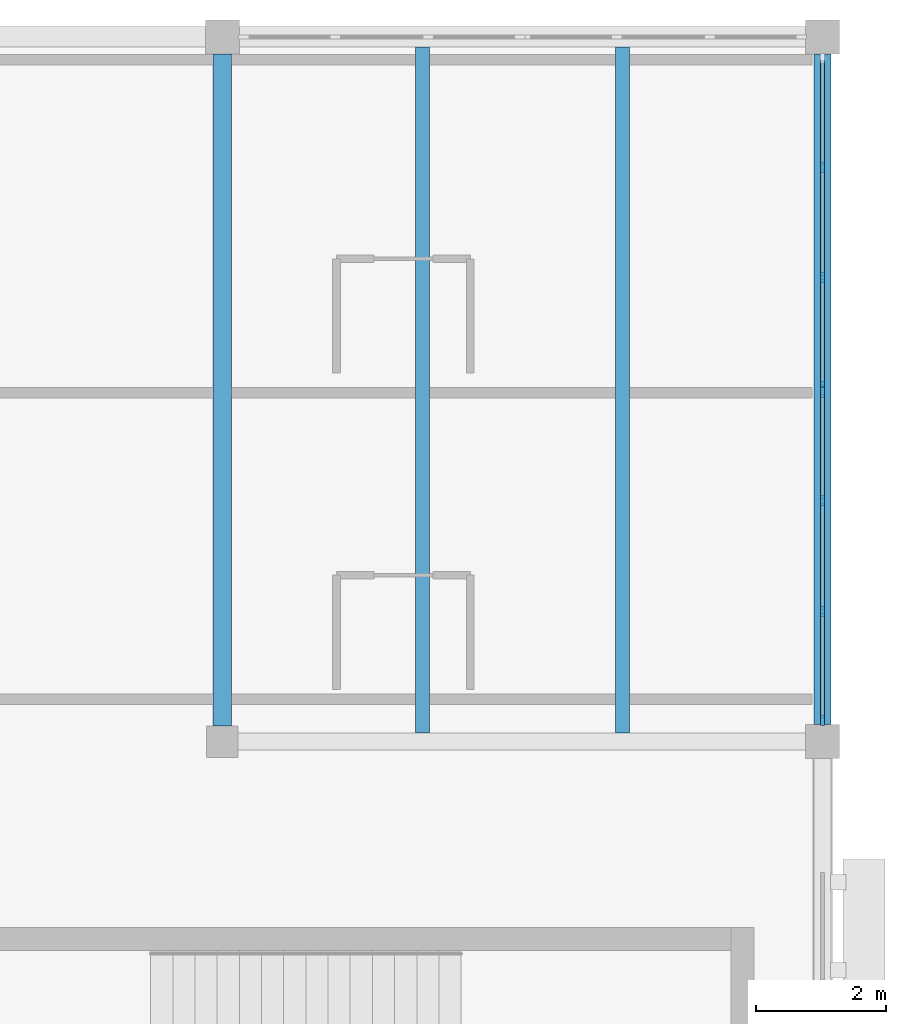
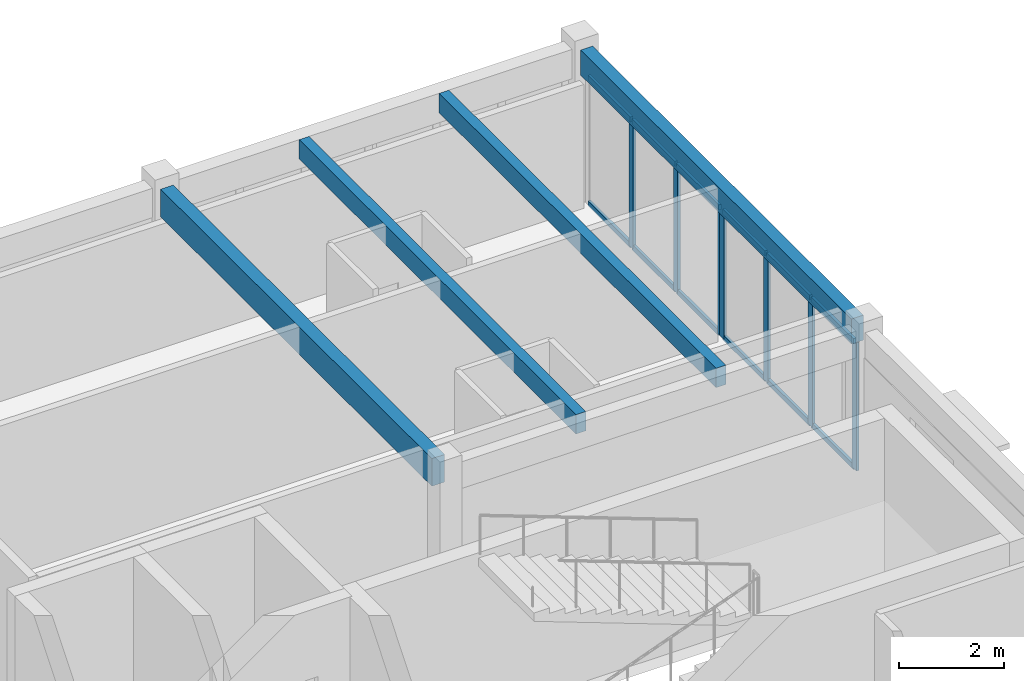
# One storey, part 3 of 20: 19 members, 4 beams, 2 elements without a shape of their own.
"""IFC4 building model written with IfcOpenShell, lengths in metres."""

from ifc_helpers import new_model, si_unit, direction, frame, origin, origin_2d, place, context, subcontext, project, spatial, rectangle, extrude, material, material_profile, profile_set, type_object, element, aggregate, save


model = new_model("IFC4")

# Units and contexts
model_context = context("Model", 3, precision=1e-05, world=origin(), true_north=direction((0.0, 1.0)))
body_context = subcontext(model_context, "Body", "Model", "MODEL_VIEW")
ifc_project = project(units=[si_unit("LENGTHUNIT", "METRE"), si_unit("AREAUNIT", "SQUARE_METRE"), si_unit("VOLUMEUNIT", "CUBIC_METRE"), si_unit("PLANEANGLEUNIT", "RADIAN"), si_unit("MASSUNIT", "GRAM", prefix="KILO")], contexts=[model_context])

# Site, building, storey
site_placement = place(None, origin())
site = spatial("IfcSite", under=ifc_project, at=site_placement, CompositionType="ELEMENT")
building_placement = place(site_placement, origin())
building = spatial("IfcBuilding", under=site, at=building_placement, Name="Veldera Park Congress Hotel", CompositionType="ELEMENT")
storey_placement = place(building_placement, frame((0.0, 0.0, 27.60009765625)))
storey = spatial("IfcBuildingStorey", under=building, at=storey_placement, Name="L06", CompositionType="ELEMENT", Elevation=27.60009765625)

# Beams
ifc_material_1 = material(Name="Glulam GL28h (NDS 24F-V4)", Category="wood")
ifc_material_profile_1 = material_profile(ifc_material_1, rectangle(XDim=0.264892578125, YDim=0.580078125, at=origin_2d()), Name="GL28h 265x580")
ifc_profile_set_1 = profile_set([ifc_material_profile_1], Name="Glulam GL28h (NDS 24F-V4)")
beam_type_1 = type_object("IfcBeamType", Name="BM-GL540E", PredefinedType="BEAM", material=ifc_profile_set_1)
beam_1_placement = place(storey_placement, frame((84.0, 47.4599609375, 3.264892578125), z_axis=(0.0, 1.0, 0.0), x_axis=(-1.0, 0.0, 0.0)))
element("IfcBeam", 1, at=beam_1_placement, inside=storey, type_object=beam_type_1, Name="L06 Girder BM-GL540E 1598", PredefinedType="BEAM", context=body_context, shape_type="SweptSolid", body=[
    extrude(rectangle(XDim=0.264892578125, YDim=0.580078125, at=origin_2d()), origin(), (0.0, 0.0, 1.0), 10.280029296875),
])
ifc_material_profile_2 = material_profile(ifc_material_1, rectangle(XDim=0.280029296875, YDim=0.639892578125, at=origin_2d()), Name="GL28h 280x640")
ifc_profile_set_2 = profile_set([ifc_material_profile_2], Name="Glulam GL28h (NDS 24F-V4)")
beam_type_2 = type_object("IfcBeamType", Name="BM-GL640", PredefinedType="BEAM", material=ifc_profile_set_2)
beam_2_placement = place(storey_placement, frame((74.800048828125, 47.43994140625, 3.23486328125), z_axis=(0.0, 1.0, 0.0), x_axis=(-1.0, 0.0, 0.0)))
element("IfcBeam", 2, at=beam_2_placement, inside=storey, type_object=beam_type_2, Name="L06 Girder BM-GL640 1587", PredefinedType="BEAM", context=body_context, shape_type="SweptSolid", body=[
    extrude(rectangle(XDim=0.280029296875, YDim=0.639892578125, at=origin_2d()), origin(), (0.0, 0.0, 1.0), 10.300048828125),
])

# Curtain wall, members
ifc_material_2 = material(Name="Low-E Triple Insulating Glass Unit (SHGC 0.22)", Category="glass")
curtain_wall_type = type_object("IfcCurtainWallType", Name="CW-HTL", PredefinedType="NOTDEFINED", material=ifc_material_2)
curtain_wall_1_placement = place(storey_placement, origin())
curtain_wall_1 = element("IfcCurtainWall", 3, at=curtain_wall_1_placement, inside=storey, type_object=curtain_wall_type, Name="L06 Curtain Wall CW3-HTLNE-L06-108", PredefinedType="NOTDEFINED")
ifc_material_3 = material(Name="Anodised Aluminium Alloy 6063-T6", Category="aluminium")
ifc_material_profile_3 = material_profile(ifc_material_3, rectangle(XDim=0.06005859375, YDim=0.159912109375, at=origin_2d()), Name="ALU 60x160")
ifc_profile_set_3 = profile_set([ifc_material_profile_3], Name="Anodised Aluminium Alloy 6063-T6")
member_type_1 = type_object("IfcMemberType", Name="CWM-160", PredefinedType="MULLION", material=ifc_profile_set_3)
member_1_placement = place(storey_placement, frame((84.0, 47.530029296875, 0.0), z_axis=(0.0, 0.0, 1.0), x_axis=(-1.0, 0.0, 0.0)))
member_1 = element("IfcMember", 4, at=member_1_placement, type_object=member_type_1, Name="CW-HTL mullion 1", PredefinedType="MULLION", context=body_context, shape_type="SweptSolid", body=[
    extrude(rectangle(XDim=0.06005859375, YDim=0.159912109375, at=origin_2d()), origin(), (0.0, 0.0, 1.0), 2.969970703125),
])
member_2_placement = place(storey_placement, frame((84.0, 49.195068359375, 0.0), z_axis=(0.0, 0.0, 1.0), x_axis=(-1.0, 0.0, 0.0)))
member_2 = element("IfcMember", 5, at=member_2_placement, type_object=member_type_1, Name="CW-HTL mullion 2", PredefinedType="MULLION", context=body_context, shape_type="SweptSolid", body=[
    extrude(rectangle(XDim=0.06005859375, YDim=0.159912109375, at=origin_2d()), origin(), (0.0, 0.0, 1.0), 2.969970703125),
])
member_3_placement = place(storey_placement, frame((84.0, 50.889892578125, 0.0), z_axis=(0.0, 0.0, 1.0), x_axis=(-1.0, 0.0, 0.0)))
member_3 = element("IfcMember", 6, at=member_3_placement, type_object=member_type_1, Name="CW-HTL mullion 3", PredefinedType="MULLION", context=body_context, shape_type="SweptSolid", body=[
    extrude(rectangle(XDim=0.06005859375, YDim=0.159912109375, at=origin_2d()), origin(), (0.0, 0.0, 1.0), 2.969970703125),
])
member_4_placement = place(storey_placement, frame((84.0, 52.554931640625, 0.0), z_axis=(0.0, 0.0, 1.0), x_axis=(-1.0, 0.0, 0.0)))
member_4 = element("IfcMember", 7, at=member_4_placement, type_object=member_type_1, Name="CW-HTL mullion 4", PredefinedType="MULLION", context=body_context, shape_type="SweptSolid", body=[
    extrude(rectangle(XDim=0.06005859375, YDim=0.159912109375, at=origin_2d()), origin(), (0.0, 0.0, 1.0), 2.969970703125),
])

curtain_wall_2_placement = place(storey_placement, origin())
curtain_wall_2 = element("IfcCurtainWall", 8, at=curtain_wall_2_placement, inside=storey, type_object=curtain_wall_type, Name="L06 Curtain Wall CW3-HTLNE-L06-109", PredefinedType="NOTDEFINED")
member_5_placement = place(storey_placement, frame((84.0, 52.64501953125, 0.0), z_axis=(0.0, 0.0, 1.0), x_axis=(-1.0, 0.0, 0.0)))
member_5 = element("IfcMember", 9, at=member_5_placement, type_object=member_type_1, Name="CW-HTL mullion 1", PredefinedType="MULLION", context=body_context, shape_type="SweptSolid", body=[
    extrude(rectangle(XDim=0.06005859375, YDim=0.159912109375, at=origin_2d()), origin(), (0.0, 0.0, 1.0), 2.969970703125),
])
member_6_placement = place(storey_placement, frame((84.0, 54.31005859375, 0.0), z_axis=(0.0, 0.0, 1.0), x_axis=(-1.0, 0.0, 0.0)))
member_6 = element("IfcMember", 10, at=member_6_placement, type_object=member_type_1, Name="CW-HTL mullion 2", PredefinedType="MULLION", context=body_context, shape_type="SweptSolid", body=[
    extrude(rectangle(XDim=0.06005859375, YDim=0.159912109375, at=origin_2d()), origin(), (0.0, 0.0, 1.0), 2.969970703125),
])
member_7_placement = place(storey_placement, frame((84.0, 56.0048828125, 0.0), z_axis=(0.0, 0.0, 1.0), x_axis=(-1.0, 0.0, 0.0)))
member_7 = element("IfcMember", 11, at=member_7_placement, type_object=member_type_1, Name="CW-HTL mullion 3", PredefinedType="MULLION", context=body_context, shape_type="SweptSolid", body=[
    extrude(rectangle(XDim=0.06005859375, YDim=0.159912109375, at=origin_2d()), origin(), (0.0, 0.0, 1.0), 2.969970703125),
])

# Member
ifc_material_profile_4 = material_profile(ifc_material_3, rectangle(XDim=0.06005859375, YDim=0.1201171875, at=origin_2d()), Name="ALU 60x120")
ifc_profile_set_4 = profile_set([ifc_material_profile_4], Name="Anodised Aluminium Alloy 6063-T6")
member_type_2 = type_object("IfcMemberType", Name="CWT-120", PredefinedType="USERDEFINED", material=ifc_profile_set_4)
member_8_placement = place(storey_placement, frame((84.0, 47.56005859375, 0.02978515625), z_axis=(0.0, 1.0, 0.0), x_axis=(-1.0, 0.0, 0.0)))
member_8 = element("IfcMember", 12, at=member_8_placement, type_object=member_type_2, Name="CW-HTL transom 1.1", ObjectType="TRANSOM", PredefinedType="USERDEFINED", context=body_context, shape_type="SweptSolid", body=[
    extrude(rectangle(XDim=0.06005859375, YDim=0.1201171875, at=origin_2d()), origin(), (0.0, 0.0, 1.0), 1.60498046875),
])

member_9_placement = place(storey_placement, frame((84.0, 47.56005859375, 2.93994140625), z_axis=(0.0, 1.0, 0.0), x_axis=(-1.0, 0.0, 0.0)))
member_9 = element("IfcMember", 13, at=member_9_placement, type_object=member_type_2, Name="CW-HTL transom 1.2", ObjectType="TRANSOM", PredefinedType="USERDEFINED", context=body_context, shape_type="SweptSolid", body=[
    extrude(rectangle(XDim=0.06005859375, YDim=0.1201171875, at=origin_2d()), origin(), (0.0, 0.0, 1.0), 1.60498046875),
])

member_10_placement = place(storey_placement, frame((84.0, 49.22509765625, 0.02978515625), z_axis=(0.0, 1.0, 0.0), x_axis=(-1.0, 0.0, 0.0)))
member_10 = element("IfcMember", 14, at=member_10_placement, type_object=member_type_2, Name="CW-HTL transom 2.1", ObjectType="TRANSOM", PredefinedType="USERDEFINED", context=body_context, shape_type="SweptSolid", body=[
    extrude(rectangle(XDim=0.06005859375, YDim=0.1201171875, at=origin_2d()), origin(), (0.0, 0.0, 1.0), 1.635009765625),
])

member_11_placement = place(storey_placement, frame((84.0, 49.22509765625, 2.93994140625), z_axis=(0.0, 1.0, 0.0), x_axis=(-1.0, 0.0, 0.0)))
member_11 = element("IfcMember", 15, at=member_11_placement, type_object=member_type_2, Name="CW-HTL transom 2.2", ObjectType="TRANSOM", PredefinedType="USERDEFINED", context=body_context, shape_type="SweptSolid", body=[
    extrude(rectangle(XDim=0.06005859375, YDim=0.1201171875, at=origin_2d()), origin(), (0.0, 0.0, 1.0), 1.635009765625),
])

member_12_placement = place(storey_placement, frame((84.0, 50.919921875, 0.02978515625), z_axis=(0.0, 1.0, 0.0), x_axis=(-1.0, 0.0, 0.0)))
member_12 = element("IfcMember", 16, at=member_12_placement, type_object=member_type_2, Name="CW-HTL transom 3.1", ObjectType="TRANSOM", PredefinedType="USERDEFINED", context=body_context, shape_type="SweptSolid", body=[
    extrude(rectangle(XDim=0.06005859375, YDim=0.1201171875, at=origin_2d()), origin(), (0.0, 0.0, 1.0), 1.60498046875),
])

member_13_placement = place(storey_placement, frame((84.0, 50.919921875, 2.93994140625), z_axis=(0.0, 1.0, 0.0), x_axis=(-1.0, 0.0, 0.0)))
member_13 = element("IfcMember", 17, at=member_13_placement, type_object=member_type_2, Name="CW-HTL transom 3.2", ObjectType="TRANSOM", PredefinedType="USERDEFINED", context=body_context, shape_type="SweptSolid", body=[
    extrude(rectangle(XDim=0.06005859375, YDim=0.1201171875, at=origin_2d()), origin(), (0.0, 0.0, 1.0), 1.60498046875),
])

aggregate(curtain_wall_1, [member_1, member_2, member_3, member_4, member_8, member_9, member_10, member_11, member_12, member_13])

member_14_placement = place(storey_placement, frame((84.0, 52.675048828125, 0.02978515625), z_axis=(0.0, 1.0, 0.0), x_axis=(-1.0, 0.0, 0.0)))
member_14 = element("IfcMember", 18, at=member_14_placement, type_object=member_type_2, Name="CW-HTL transom 1.1", ObjectType="TRANSOM", PredefinedType="USERDEFINED", context=body_context, shape_type="SweptSolid", body=[
    extrude(rectangle(XDim=0.06005859375, YDim=0.1201171875, at=origin_2d()), origin(), (0.0, 0.0, 1.0), 1.60498046875),
])

member_15_placement = place(storey_placement, frame((84.0, 52.675048828125, 2.93994140625), z_axis=(0.0, 1.0, 0.0), x_axis=(-1.0, 0.0, 0.0)))
member_15 = element("IfcMember", 19, at=member_15_placement, type_object=member_type_2, Name="CW-HTL transom 1.2", ObjectType="TRANSOM", PredefinedType="USERDEFINED", context=body_context, shape_type="SweptSolid", body=[
    extrude(rectangle(XDim=0.06005859375, YDim=0.1201171875, at=origin_2d()), origin(), (0.0, 0.0, 1.0), 1.60498046875),
])

member_16_placement = place(storey_placement, frame((84.0, 54.340087890625, 0.02978515625), z_axis=(0.0, 1.0, 0.0), x_axis=(-1.0, 0.0, 0.0)))
member_16 = element("IfcMember", 20, at=member_16_placement, type_object=member_type_2, Name="CW-HTL transom 2.1", ObjectType="TRANSOM", PredefinedType="USERDEFINED", context=body_context, shape_type="SweptSolid", body=[
    extrude(rectangle(XDim=0.06005859375, YDim=0.1201171875, at=origin_2d()), origin(), (0.0, 0.0, 1.0), 1.635009765625),
])

member_17_placement = place(storey_placement, frame((84.0, 54.340087890625, 2.93994140625), z_axis=(0.0, 1.0, 0.0), x_axis=(-1.0, 0.0, 0.0)))
member_17 = element("IfcMember", 21, at=member_17_placement, type_object=member_type_2, Name="CW-HTL transom 2.2", ObjectType="TRANSOM", PredefinedType="USERDEFINED", context=body_context, shape_type="SweptSolid", body=[
    extrude(rectangle(XDim=0.06005859375, YDim=0.1201171875, at=origin_2d()), origin(), (0.0, 0.0, 1.0), 1.635009765625),
])

member_18_placement = place(storey_placement, frame((84.0, 56.034912109375, 0.02978515625), z_axis=(0.0, 1.0, 0.0), x_axis=(-1.0, 0.0, 0.0)))
member_18 = element("IfcMember", 22, at=member_18_placement, type_object=member_type_2, Name="CW-HTL transom 3.1", ObjectType="TRANSOM", PredefinedType="USERDEFINED", context=body_context, shape_type="SweptSolid", body=[
    extrude(rectangle(XDim=0.06005859375, YDim=0.1201171875, at=origin_2d()), origin(), (0.0, 0.0, 1.0), 1.60498046875),
])

member_19_placement = place(storey_placement, frame((84.0, 56.034912109375, 2.93994140625), z_axis=(0.0, 1.0, 0.0), x_axis=(-1.0, 0.0, 0.0)))
member_19 = element("IfcMember", 23, at=member_19_placement, type_object=member_type_2, Name="CW-HTL transom 3.2", ObjectType="TRANSOM", PredefinedType="USERDEFINED", context=body_context, shape_type="SweptSolid", body=[
    extrude(rectangle(XDim=0.06005859375, YDim=0.1201171875, at=origin_2d()), origin(), (0.0, 0.0, 1.0), 1.60498046875),
])

aggregate(curtain_wall_2, [member_5, member_6, member_7, member_14, member_15, member_16, member_17, member_18, member_19])

# Beams
ifc_material_profile_5 = material_profile(ifc_material_1, rectangle(XDim=0.215087890625, YDim=0.449951171875, at=origin_2d()), Name="GL28h 215x450")
ifc_profile_set_5 = profile_set([ifc_material_profile_5], Name="Glulam GL28h (NDS 24F-V4)")
beam_type_3 = type_object("IfcBeamType", Name="JST-GL450", PredefinedType="JOIST", material=ifc_profile_set_5)
for number, where, z_axis, x_axis, name in (
    (24, (77.86669921875, 47.33251953125, 3.329833984375), (0.0, 1.0, 0.0), (-1.0, 0.0, 0.0), "L06 Floor Joist JST-GL450 1635"),
    (25, (80.933349609375, 47.33251953125, 3.329833984375), (0.0, 1.0, 0.0), (-1.0, 0.0, 0.0), "L06 Floor Joist JST-GL450 1636"),
):
    element("IfcBeam", number, at=place(storey_placement, frame(where, z_axis=z_axis, x_axis=x_axis)), inside=storey, type_object=beam_type_3, Name=name, PredefinedType="JOIST", context=body_context, shape_type="SweptSolid", body=[
        extrude(rectangle(XDim=0.215087890625, YDim=0.449951171875, at=origin_2d()), origin(), (0.0, 0.0, 1.0), 10.510009765625),
    ])

save(model, "model.ifc")
